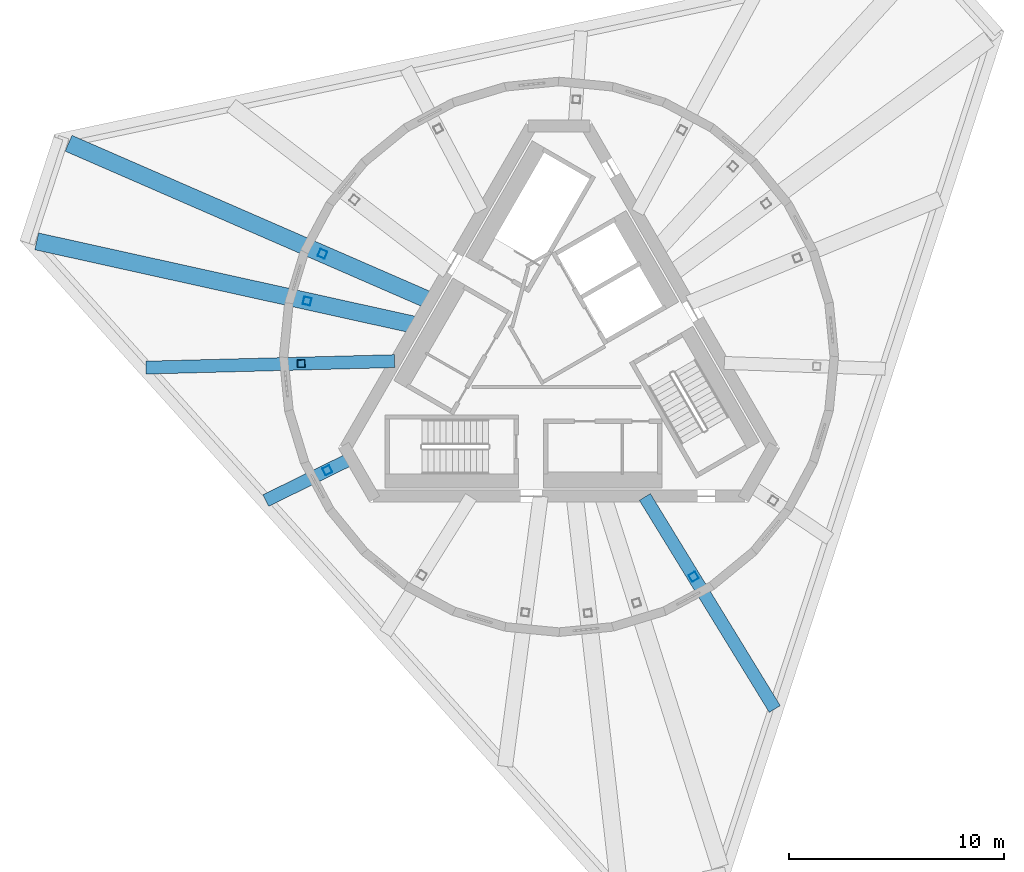
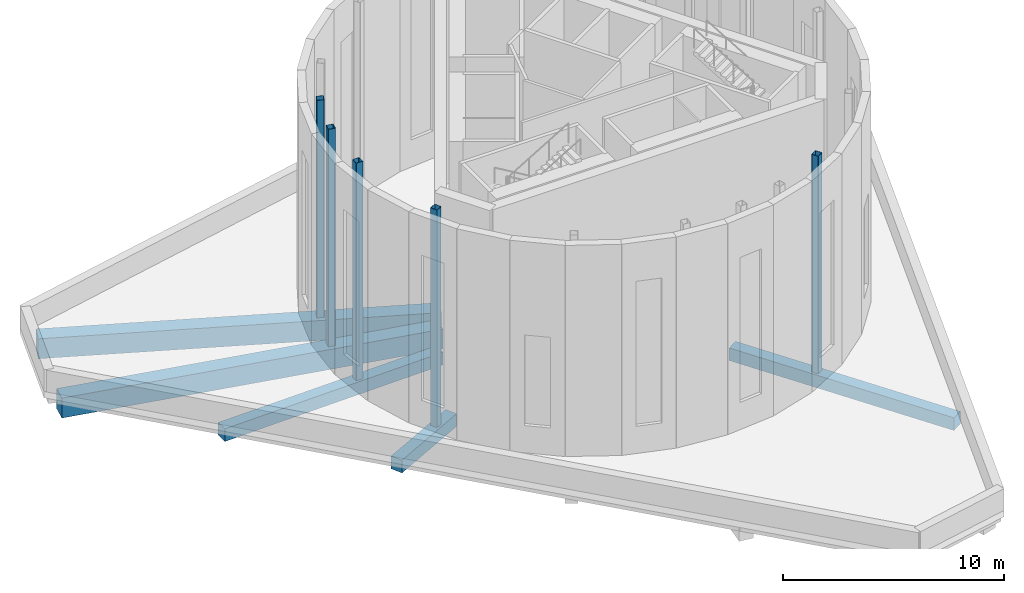
# One storey, part 2 of 9: 5 beams, 5 members.
"""IFC4 building model written with IfcOpenShell, lengths in metres."""

import ifcopenshell
import ifcopenshell.guid

model = None  # the IFC model being written
_history = None  # IfcOwnerHistory: only IFC2X3 demands one
_inside = {}  # id of a spatial element -> (the spatial element, [elements in it])
_under = {}  # id of a project, library or spatial element -> (it, [spatial elements below it])
_declared = {}  # id of a project -> (the project, [libraries it declares])
_typed = {}  # id of a type object -> (the type object, [elements of that type])
_made_of = {}  # id of a material, layer set ... -> (it, [elements and type objects made of it])


def new_model(schema):
    """Start an empty IFC model of exactly this schema.

    Asked for "IFC4X3", IfcOpenShell would pick the latest addendum, in which some entities
    have other attributes; the version numbers below select the first issue.
    IFC2X3 requires an IfcOwnerHistory on every rooted entity: one is made here for all.
    """
    global model, _history
    if schema == "IFC4X3":
        model = ifcopenshell.file(schema_version=(4, 3, 0, 0))
    else:
        model = ifcopenshell.file(schema=schema)
    _inside.clear()
    _under.clear()
    _declared.clear()
    _typed.clear()
    _made_of.clear()
    _history = None
    if model.schema == "IFC2X3":
        org = make("IfcOrganization", Name="unknown")
        user = make(
            "IfcPersonAndOrganization",
            ThePerson=make("IfcPerson", FamilyName="unknown"),
            TheOrganization=org,
        )
        app = make(
            "IfcApplication",
            ApplicationDeveloper=org,
            Version="unknown",
            ApplicationFullName="unknown",
            ApplicationIdentifier="unknown",
        )
        _history = make(
            "IfcOwnerHistory",
            OwningUser=user,
            OwningApplication=app,
            ChangeAction="ADDED",
            CreationDate=0,
        )
    return model


def make(cls, **values):
    """One entity of the class cls with the attributes given. An attribute that is None is left unset."""
    return model.create_entity(
        cls, **{name: value for name, value in values.items() if value is not None}
    )


def rooted(cls, **values):
    """An entity with a GlobalId (a new one), such as an element, a storey or a relation."""
    return make(cls, GlobalId=ifcopenshell.guid.new(), OwnerHistory=_history, **values)


def si_unit(unit_type, name, prefix=None):
    """IfcSIUnit, for example si_unit("LENGTHUNIT", "METRE", prefix="MILLI")."""
    return make("IfcSIUnit", UnitType=unit_type, Prefix=prefix, Name=name)


def assignment(units):
    """IfcUnitAssignment: the units of a project."""
    return None if units is None else make("IfcUnitAssignment", Units=units)


def point(xyz):
    """IfcCartesianPoint."""
    return None if xyz is None else make("IfcCartesianPoint", Coordinates=xyz)


def direction(xyz):
    """IfcDirection."""
    return None if xyz is None else make("IfcDirection", DirectionRatios=xyz)


def frame(location, z_axis=None, x_axis=None):
    """IfcAxis2Placement3D, a coordinate frame: its origin and axes. An axis left out is left unset."""
    return make(
        "IfcAxis2Placement3D",
        Location=point(location),
        Axis=direction(z_axis),
        RefDirection=direction(x_axis),
    )


def frame_2d(location, x_axis=None):
    """IfcAxis2Placement2D, a coordinate frame in the plane: its origin and x axis."""
    return make(
        "IfcAxis2Placement2D", Location=point(location), RefDirection=direction(x_axis)
    )


def origin():
    """The frame at (0, 0, 0) with its axes left unset."""
    return frame((0.0, 0.0, 0.0))


def origin_2d():
    """The frame at (0, 0) in the plane with its x axis left unset."""
    return frame_2d((0.0, 0.0))


def place(relative_to, where):
    """IfcLocalPlacement: puts the frame where relative to a parent placement (None: the world)."""
    return make(
        "IfcLocalPlacement", PlacementRelTo=relative_to, RelativePlacement=where
    )


def context(
    kind, dimensions, precision=None, world=None, true_north=None, identifier=None
):
    """IfcGeometricRepresentationContext, for example the 3D "Model" context."""
    return make(
        "IfcGeometricRepresentationContext",
        ContextIdentifier=identifier,
        ContextType=kind,
        CoordinateSpaceDimension=dimensions,
        Precision=precision,
        WorldCoordinateSystem=world,
        TrueNorth=true_north,
    )


def subcontext(parent, identifier, kind, view, scale=None):
    """IfcGeometricRepresentationSubContext, for example "Body" below "Model"."""
    return make(
        "IfcGeometricRepresentationSubContext",
        ContextIdentifier=identifier,
        ContextType=kind,
        ParentContext=parent,
        TargetScale=scale,
        TargetView=view,
    )


def project(units=None, contexts=None):
    """IfcProject with its units and contexts."""
    return rooted(
        "IfcProject",
        Name="project",
        RepresentationContexts=contexts,
        UnitsInContext=assignment(units),
    )


def spatial(cls, under=None, at=None, **own):
    """A site, building, storey or space (cls), placed at a placement, below another one or the project."""
    s = rooted(cls, ObjectPlacement=at, **own)
    if under is not None:
        _under.setdefault(under.id(), (under, []))[1].append(s)
    return s


def profile(cls, at=None, kind="AREA", **sizes):
    """A parametric profile (cls). Its sizes go by their IFC names, for example OverallWidth=200.0."""
    return make(cls, ProfileType=kind, Position=at, **sizes)


def rectangle(**sizes):
    """IfcRectangleProfileDef."""
    return profile("IfcRectangleProfileDef", **sizes)


def hollow_rectangle(**sizes):
    """IfcRectangleHollowProfileDef."""
    return profile("IfcRectangleHollowProfileDef", **sizes)


def extrude(swept, where, along, depth):
    """IfcExtrudedAreaSolid: the profile swept, set in the frame where, extruded along a direction by depth."""
    return make(
        "IfcExtrudedAreaSolid",
        SweptArea=swept,
        Position=where,
        ExtrudedDirection=direction(along),
        Depth=depth,
    )


def shape(context_of_items, identifier, shape_type, items):
    """IfcShapeRepresentation: the items that make up one representation, for example the "Body"."""
    return make(
        "IfcShapeRepresentation",
        ContextOfItems=context_of_items,
        RepresentationIdentifier=identifier,
        RepresentationType=shape_type,
        Items=items,
    )


def material(Name=None, Category=None):
    """IfcMaterial."""
    return make("IfcMaterial", Name=Name, Category=Category)


def material_profile(
    of_material, cross_section, Name=None, Category=None, Priority=None
):
    """IfcMaterialProfile: a cross section and its material."""
    return make(
        "IfcMaterialProfile",
        Name=Name,
        Material=of_material,
        Profile=cross_section,
        Priority=Priority,
        Category=Category,
    )


def profile_set(profiles, Name=None, composite=None):
    """IfcMaterialProfileSet."""
    return make(
        "IfcMaterialProfileSet",
        Name=Name,
        MaterialProfiles=profiles,
        CompositeProfile=composite,
    )


def made_of(thing, what):
    """Note that an element or type object is made of a material, layer set ...; save() writes the relation."""
    if what is not None:
        _made_of.setdefault(what.id(), (what, []))[1].append(thing)
    return thing


def type_object(cls, material=None, **own):
    """A type object (cls), such as IfcWallType, which elements share."""
    return made_of(rooted(cls, **own), material)


def element(
    cls,
    number,
    at=None,
    inside=None,
    cuts=None,
    type_object=None,
    material=None,
    context=None,
    identifier="Body",
    shape_type=None,
    held_by="IfcProductDefinitionShape",
    body=None,
    shapes=None,
    **own,
):
    """One element of the class cls, such as IfcWall. Its Tag is "e" and its number.

    at: its placement. inside: the storey or other place that contains it. cuts: it is an
    opening in that element (IfcRelVoidsElement). A single representation is given by context,
    identifier, shape_type and body (its items); several are given by shapes. held_by: the class
    of the entity that holds the representations. save() writes the other relations.
    """
    e = rooted(cls, Tag="e%d" % number, ObjectPlacement=at, **own)
    if body is not None:
        shapes = [shape(context, identifier, shape_type, body)]
    if shapes is not None:
        e.Representation = make(held_by, Representations=shapes)
    if inside is not None:
        _inside.setdefault(inside.id(), (inside, []))[1].append(e)
    if cuts is not None:
        rooted(
            "IfcRelVoidsElement", RelatingBuildingElement=cuts, RelatedOpeningElement=e
        )
    if type_object is not None:
        _typed.setdefault(type_object.id(), (type_object, []))[1].append(e)
    return made_of(e, material)


def aggregate(whole, parts):
    """IfcRelAggregates: a whole, such as a stair, and the parts it consists of."""
    return rooted("IfcRelAggregates", RelatingObject=whole, RelatedObjects=parts)


def save(model, path):
    """Write the relations noted so far, then the file.

    IfcRelAggregates (storeys below a building ...), IfcRelContainedInSpatialStructure (elements
    in a storey), IfcRelDefinesByType, IfcRelAssociatesMaterial and IfcRelDeclares: one each for
    every whole, place, type object, material and project.
    """
    for whole, parts in _under.values():
        aggregate(whole, parts)
    for where, things in _inside.values():
        rooted(
            "IfcRelContainedInSpatialStructure",
            RelatedElements=things,
            RelatingStructure=where,
        )
    for kind, things in _typed.values():
        rooted("IfcRelDefinesByType", RelatedObjects=things, RelatingType=kind)
    for what, things in _made_of.values():
        rooted("IfcRelAssociatesMaterial", RelatedObjects=things, RelatingMaterial=what)
    for by, libraries in _declared.values():
        rooted("IfcRelDeclares", RelatingContext=by, RelatedDefinitions=libraries)
    model.write(path)


model = new_model("IFC4")

# Units and contexts
model_context = context("Model", 3, precision=1e-05, world=origin(), true_north=direction((0.0, 1.0)))
body_context = subcontext(model_context, "Body", "Model", "MODEL_VIEW")
ifc_project = project(units=[si_unit("LENGTHUNIT", "METRE"), si_unit("AREAUNIT", "SQUARE_METRE"), si_unit("VOLUMEUNIT", "CUBIC_METRE"), si_unit("PLANEANGLEUNIT", "RADIAN"), si_unit("MASSUNIT", "GRAM", prefix="KILO")], contexts=[model_context])

# Site, building, storey
site_placement = place(None, origin())
site = spatial("IfcSite", under=ifc_project, at=site_placement, CompositionType="ELEMENT")
building_placement = place(site_placement, origin())
building = spatial("IfcBuilding", under=site, at=building_placement, Name="Tramontana Tower", CompositionType="ELEMENT")
storey_placement = place(building_placement, frame((0.0, 0.0, 380.89990234375)))
storey = spatial("IfcBuildingStorey", under=building, at=storey_placement, Name="Crown", CompositionType="ELEMENT", Elevation=380.89990234375)

# Members
ifc_material_1 = material(Name="Steel ASTM A500 Grade C", Category="steel")
ifc_material_profile_1 = material_profile(ifc_material_1, hollow_rectangle(XDim=0.355712890625, YDim=0.355712890625, WallThickness=0.01171875, InnerFilletRadius=0.01171875, OuterFilletRadius=0.023681640625, at=origin_2d()), Name="HSS14X14X1/2")
ifc_profile_set_1 = profile_set([ifc_material_profile_1], Name="Steel ASTM A500 Grade C")
member_type = type_object("IfcMemberType", Name="Drum HSS14X14X1/2 post", PredefinedType="POST", material=ifc_profile_set_1)
for number, where, z_axis, x_axis, name in (
    (1, (-11.984619140625, -0.313232421875, -0.349853515625), (0.0, 0.0, 1.0), (-0.999658555231, -0.026129924494, 0.0), "Drum post 01"),
    (2, (-10.763671875, -5.27490234375, -0.349853515625), (0.0, 0.0, 1.0), (-0.897971894743, -0.440052810752, 0.0), "Drum post 02"),
    (3, (6.26220703125, -10.22021484375, -0.349853515625), (0.0, 0.0, 1.0), (0.522458456026, -0.852664741693, 0.0), "Drum post 07"),
    (4, (-10.994140625, 4.78759765625, -0.349853515625), (0.0, 0.0, 1.0), (-0.9168406859, 0.399253248801, 0.0), "Drum post 17"),
    (5, (-11.70751953125, 2.588623046875, -0.349853515625), (0.0, 0.0, 1.0), (-0.976414867603, 0.215902770534, 0.0), "Drum post 18"),
):
    element("IfcMember", number, at=place(storey_placement, frame(where, z_axis=z_axis, x_axis=x_axis)), inside=storey, type_object=member_type, Name=name, PredefinedType="POST", context=body_context, shape_type="SweptSolid", body=[
        extrude(hollow_rectangle(XDim=0.355712890625, YDim=0.355712890625, WallThickness=0.01171875, InnerFilletRadius=0.01171875, OuterFilletRadius=0.023681640625, at=origin_2d()), origin(), (0.0, 0.0, 1.0), 12.0),
    ])

# Beams
ifc_material_2 = material(Name="Concrete 40 MPa", Category="concrete")
ifc_material_profile_2 = material_profile(ifc_material_2, rectangle(XDim=0.60009765625, YDim=0.699951171875, at=origin_2d()), Name="RC GIRDER 600X700 40 MPa")
ifc_profile_set_2 = profile_set([ifc_material_profile_2], Name="Concrete 40 MPa")
beam_type_1 = type_object("IfcBeamType", Name="RC GIRDER 600X700 40 MPa", PredefinedType="BEAM", material=ifc_profile_set_2)
beam_1_placement = place(storey_placement, frame((-19.194580078125, -0.501708984375, -0.699951171875), z_axis=(0.999658682192, 0.026125066864, 0.0), x_axis=(-0.026125066864, 0.999658682192, 0.0)))
element("IfcBeam", 6, at=beam_1_placement, inside=storey, type_object=beam_type_1, Name="Radial girder C8F01 Crown", PredefinedType="BEAM", context=body_context, shape_type="SweptSolid", body=[
    extrude(rectangle(XDim=0.60009765625, YDim=0.699951171875, at=origin_2d()), origin(), (0.0, 0.0, 1.0), 11.559814453125),
])
beam_2_placement = place(storey_placement, frame((-13.63134765625, -6.68017578125, -0.699951171875), z_axis=(0.897959158445, 0.440078799496, 0.0), x_axis=(-0.440078799496, 0.897959158445, 0.0)))
element("IfcBeam", 7, at=beam_2_placement, inside=storey, type_object=beam_type_1, Name="Radial girder C8F02 Crown", PredefinedType="BEAM", context=body_context, shape_type="SweptSolid", body=[
    extrude(rectangle(XDim=0.60009765625, YDim=0.699951171875, at=origin_2d()), origin(), (0.0, 0.0, 1.0), 4.4296875),
])
beam_3_placement = place(storey_placement, frame((10.03173828125, -16.3720703125, -0.699951171875), z_axis=(-0.522458548495, 0.852664685034, 0.0), x_axis=(-0.852664685034, -0.522458548495, 0.0)))
element("IfcBeam", 8, at=beam_3_placement, inside=storey, type_object=beam_type_1, Name="Radial girder C8F05 Crown", PredefinedType="BEAM", context=body_context, shape_type="SweptSolid", body=[
    extrude(rectangle(XDim=0.60009765625, YDim=0.699951171875, at=origin_2d()), origin(), (0.0, 0.0, 1.0), 11.559814453125),
])
ifc_material_3 = material(Name="Concrete 40 MPa", Category="concrete")
ifc_material_profile_3 = material_profile(ifc_material_3, rectangle(XDim=0.800048828125, YDim=1.10009765625, at=origin_2d()), Name="RC GIRDER 800X1100 40 MPa")
ifc_profile_set_3 = profile_set([ifc_material_profile_3], Name="Concrete 40 MPa")
beam_type_2 = type_object("IfcBeamType", Name="RC GIRDER 800X1100 40 MPa", PredefinedType="BEAM", material=ifc_profile_set_3)
beam_4_placement = place(storey_placement, frame((-24.278076171875, 5.368408203125, -0.89990234375), z_axis=(0.976414256624, -0.215905533653, 0.0), x_axis=(0.215905533653, 0.976414256624, 0.0)))
element("IfcBeam", 9, at=beam_4_placement, inside=storey, type_object=beam_type_2, Name="Radial girder C8K1 Crown", PredefinedType="BEAM", context=body_context, shape_type="SweptSolid", body=[
    extrude(rectangle(XDim=0.800048828125, YDim=1.10009765625, at=origin_2d()), origin(), (0.0, 0.0, 1.0), 18.060791015625),
])
beam_5_placement = place(storey_placement, frame((-22.796875, 9.92724609375, -0.89990234375), z_axis=(0.916837391717, -0.399260813441, 0.0), x_axis=(0.399260813441, 0.916837391717, 0.0)))
element("IfcBeam", 10, at=beam_5_placement, inside=storey, type_object=beam_type_2, Name="Radial girder C8K6 Crown", PredefinedType="BEAM", context=body_context, shape_type="SweptSolid", body=[
    extrude(rectangle(XDim=0.800048828125, YDim=1.10009765625, at=origin_2d()), origin(), (0.0, 0.0, 1.0), 18.34619140625),
])

save(model, "model.ifc")
